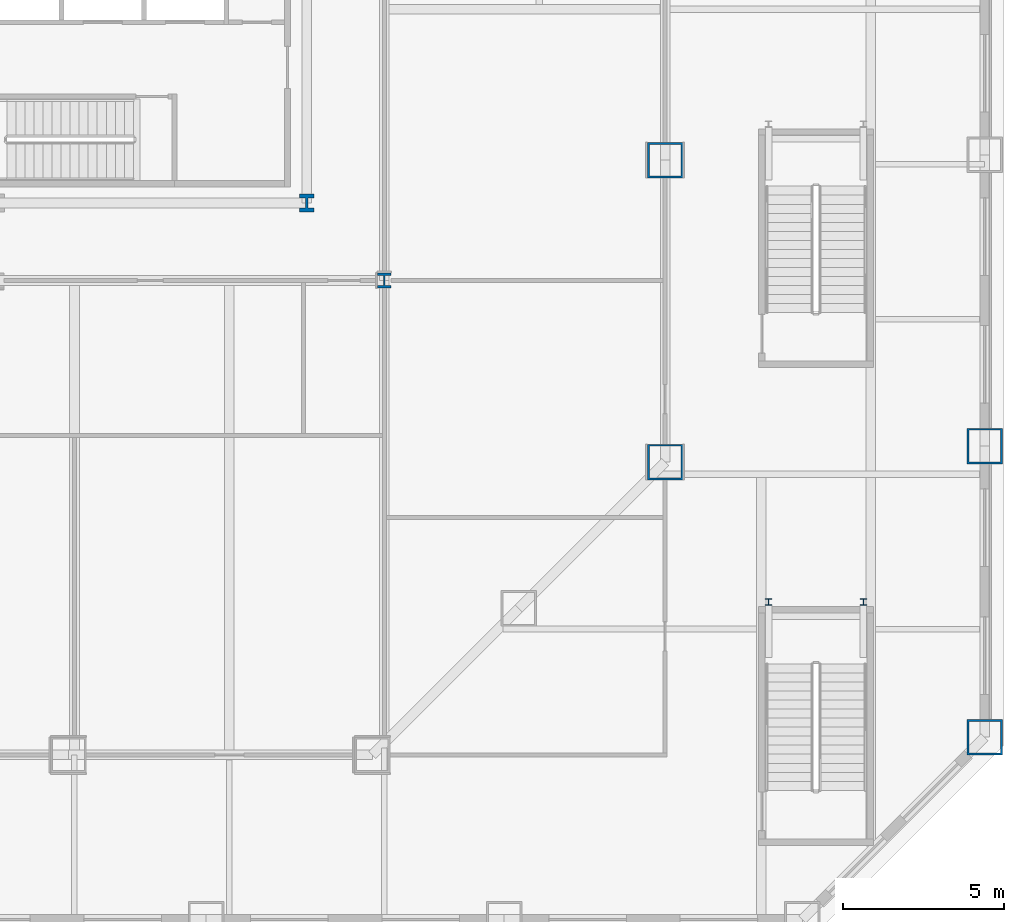
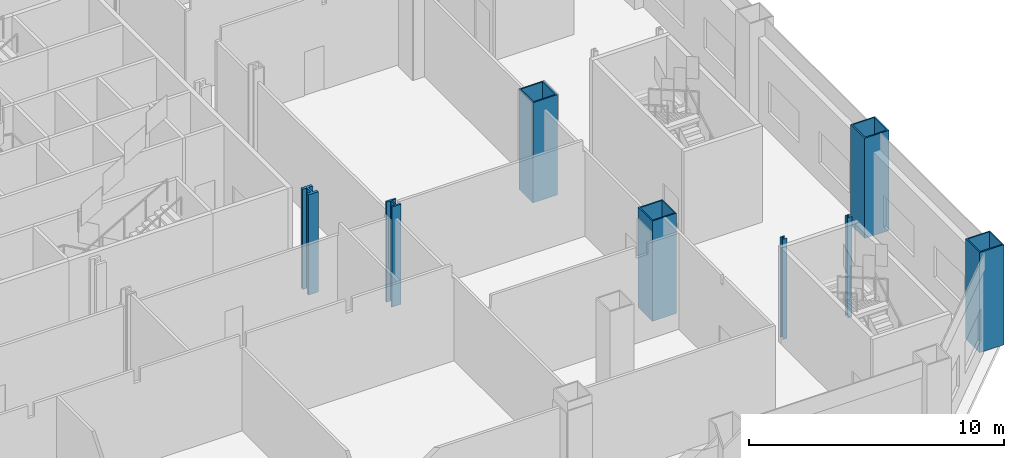
# One storey, part 5 of 26: 8 columns.
"""IFC4 building model written with IfcOpenShell, lengths in metres."""

from ifc_helpers import new_model, si_unit, direction, frame, origin, origin_2d, place, context, subcontext, project, spatial, hollow_rectangle, i_section, extrude, material, material_profile, profile_set, type_object, element, save


model = new_model("IFC4")

# Units and contexts
model_context = context("Model", 3, precision=1e-05, world=origin(), true_north=direction((0.0, 1.0)))
body_context = subcontext(model_context, "Body", "Model", "MODEL_VIEW")
ifc_project = project(units=[si_unit("LENGTHUNIT", "METRE"), si_unit("AREAUNIT", "SQUARE_METRE"), si_unit("VOLUMEUNIT", "CUBIC_METRE"), si_unit("PLANEANGLEUNIT", "RADIAN"), si_unit("MASSUNIT", "GRAM", prefix="KILO")], contexts=[model_context])

# Site, building, storey
site_placement = place(None, origin())
site = spatial("IfcSite", under=ifc_project, at=site_placement, CompositionType="ELEMENT")
building_placement = place(site_placement, origin())
building = spatial("IfcBuilding", under=site, at=building_placement, Name="Cairn Pilgrim Tower", CompositionType="ELEMENT")
storey_placement = place(building_placement, frame((0.0, 0.0, 25.800048828125)))
storey = spatial("IfcBuildingStorey", under=building, at=storey_placement, Name="L04", CompositionType="ELEMENT", Elevation=25.800048828125)

# Columns
ifc_material_1 = material(Name="Structural steel S460M", Category="steel")
ifc_material_profile_1 = material_profile(ifc_material_1, hollow_rectangle(XDim=1.10009765625, YDim=1.10009765625, WallThickness=0.06005859375, at=origin_2d()), Name="BOX 1100x1100x60")
ifc_profile_set_1 = profile_set([ifc_material_profile_1], Name="Structural steel S460M")
column_type_1 = type_object("IfcColumnType", Name="BOX 1100x1100x60", PredefinedType="COLUMN", material=ifc_profile_set_1)
for number, where, z_axis, x_axis, name in (
    (1, (27.89990234375, -14.027099609375, -0.199951171875), (0.0, 0.0, 1.0), (1.0, 0.0, 0.0), "PC1-E1"),
    (2, (27.89990234375, -4.67578125, -0.199951171875), (0.0, 0.0, 1.0), (1.0, 0.0, 0.0), "PC1-E2"),
):
    element("IfcColumn", number, at=place(storey_placement, frame(where, z_axis=z_axis, x_axis=x_axis)), inside=storey, type_object=column_type_1, Name=name, PredefinedType="COLUMN", context=body_context, shape_type="SweptSolid", body=[
        extrude(hollow_rectangle(XDim=1.10009765625, YDim=1.10009765625, WallThickness=0.06005859375, at=origin_2d()), origin(), (0.0, 0.0, 1.0), 4.7998046875),
    ])
ifc_material_profile_2 = material_profile(ifc_material_1, i_section(OverallWidth=0.4541015625, OverallDepth=0.569091796875, WebThickness=0.077880859375, FlangeThickness=0.125, FilletRadius=0.014892578125, at=origin_2d()), Name="HD 400x1086")
ifc_profile_set_2 = profile_set([ifc_material_profile_2], Name="Structural steel S460M")
column_type_2 = type_object("IfcColumnType", Name="HD 400x1086", PredefinedType="COLUMN", material=ifc_profile_set_2)
column_1_placement = place(storey_placement, frame((16.800048828125, -6.0, -0.199951171875), z_axis=(0.0, 0.0, 1.0), x_axis=(1.0, 0.0, 0.0)))
element("IfcColumn", 3, at=column_1_placement, inside=storey, type_object=column_type_2, Name="KC-3", PredefinedType="COLUMN", context=body_context, shape_type="SweptSolid", body=[
    extrude(i_section(OverallWidth=0.4541015625, OverallDepth=0.569091796875, WebThickness=0.077880859375, FlangeThickness=0.125, FilletRadius=0.014892578125, at=origin_2d()), origin(), (0.0, 0.0, 1.0), 4.7998046875),
])
ifc_material_profile_3 = material_profile(ifc_material_1, i_section(OverallWidth=0.424072265625, OverallDepth=0.47412109375, WebThickness=0.047607421875, FlangeThickness=0.0771484375, FilletRadius=0.014892578125, at=origin_2d()), Name="HD 400x634")
ifc_profile_set_3 = profile_set([ifc_material_profile_3], Name="Structural steel S460M")
column_type_3 = type_object("IfcColumnType", Name="HD 400x634", PredefinedType="COLUMN", material=ifc_profile_set_3)
column_2_placement = place(storey_placement, frame((19.199951171875, -8.39990234375, -0.199951171875), z_axis=(0.0, 0.0, 1.0), x_axis=(1.0, 0.0, 0.0)))
element("IfcColumn", 4, at=column_2_placement, inside=storey, type_object=column_type_3, Name="IC-3", PredefinedType="COLUMN", context=body_context, shape_type="SweptSolid", body=[
    extrude(i_section(OverallWidth=0.424072265625, OverallDepth=0.47412109375, WebThickness=0.047607421875, FlangeThickness=0.0771484375, FilletRadius=0.014892578125, at=origin_2d()), origin(), (0.0, 0.0, 1.0), 4.7998046875),
])
ifc_material_profile_4 = material_profile(ifc_material_1, hollow_rectangle(XDim=1.10009765625, YDim=1.10009765625, WallThickness=0.06005859375, at=origin_2d()), Name="BOX 1100x1100x60")
ifc_profile_set_4 = profile_set([ifc_material_profile_4], Name="Structural steel S460M")
column_type_4 = type_object("IfcColumnType", Name="PILOTIS CFT 1100", PredefinedType="COLUMN", material=ifc_profile_set_4)
for number, where, z_axis, x_axis, name in (
    (5, (37.800048828125, -22.551513671875, 0.0), (0.0, 0.0, 1.0), (1.0, 0.0, 0.0), "PILOTIS PL-E1"),
    (6, (37.800048828125, -13.531005859375, 0.0), (0.0, 0.0, 1.0), (1.0, 0.0, 0.0), "PILOTIS PL-E2"),
):
    element("IfcColumn", number, at=place(storey_placement, frame(where, z_axis=z_axis, x_axis=x_axis)), inside=storey, type_object=column_type_4, Name=name, PredefinedType="COLUMN", context=body_context, shape_type="SweptSolid", body=[
        extrude(hollow_rectangle(XDim=1.10009765625, YDim=1.10009765625, WallThickness=0.06005859375, at=origin_2d()), origin(), (0.0, 0.0, 1.0), 4.800048828125),
    ])
ifc_material_2 = material(Name="Structural steel S355J2", Category="steel")
ifc_material_profile_5 = material_profile(ifc_material_2, i_section(OverallWidth=0.199951171875, OverallDepth=0.199951171875, WebThickness=0.009033203125, FlangeThickness=0.014892578125, FilletRadius=0.01806640625, at=origin_2d()), Name="HE 200 B")
ifc_profile_set_5 = profile_set([ifc_material_profile_5], Name="Structural steel S355J2")
column_type_5 = type_object("IfcColumnType", Name="STAIR POST HE 200 B", PredefinedType="COLUMN", material=ifc_profile_set_5)
for number, where, z_axis, x_axis, name in (
    (7, (31.10498046875, -18.360107421875, 0.0), (0.0, 0.0, 1.0), (1.0, 0.0, 0.0), "STAIR POST LP-ES1-NA"),
    (8, (34.044921875, -18.360107421875, 0.0), (0.0, 0.0, 1.0), (1.0, 0.0, 0.0), "STAIR POST LP-ES1-NB"),
):
    element("IfcColumn", number, at=place(storey_placement, frame(where, z_axis=z_axis, x_axis=x_axis)), inside=storey, type_object=column_type_5, Name=name, PredefinedType="COLUMN", context=body_context, shape_type="SweptSolid", body=[
        extrude(i_section(OverallWidth=0.199951171875, OverallDepth=0.199951171875, WebThickness=0.009033203125, FlangeThickness=0.014892578125, FilletRadius=0.01806640625, at=origin_2d()), origin(), (0.0, 0.0, 1.0), 4.800048828125),
    ])

save(model, "model.ifc")
